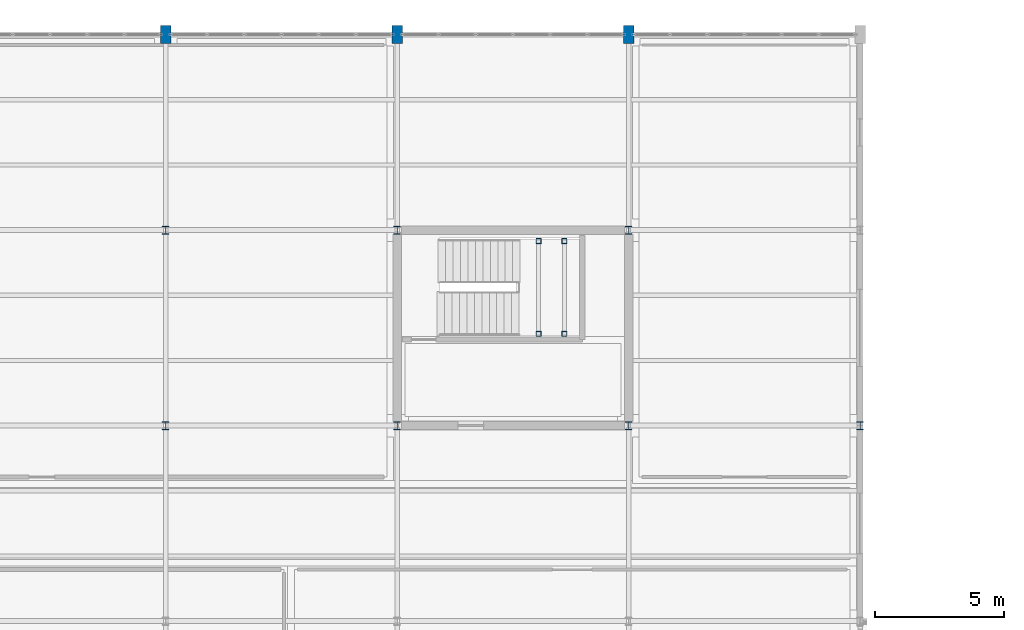
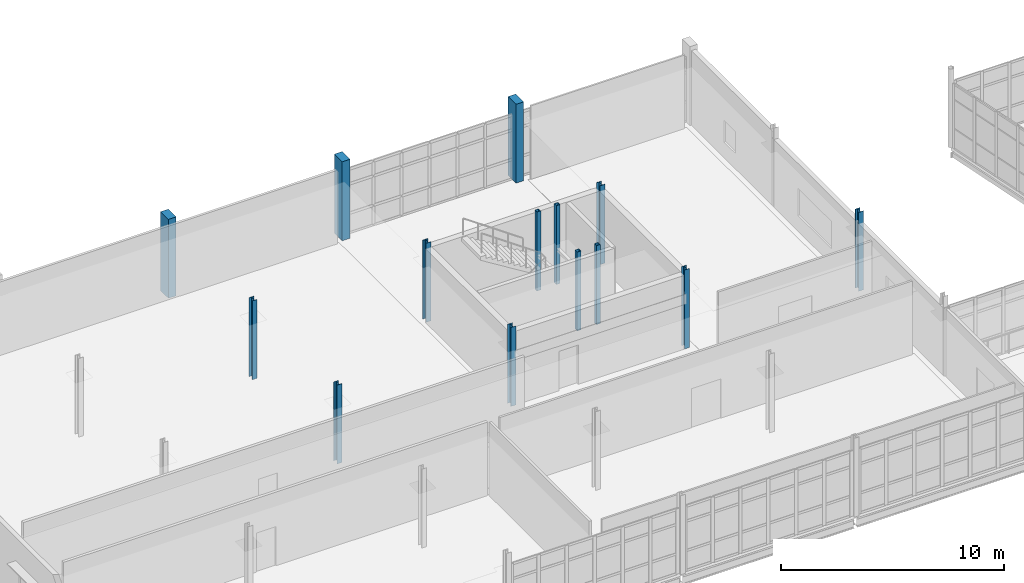
# One storey, part 20 of 174: 14 columns.
"""IFC4 building model written with IfcOpenShell, lengths in metres."""

from ifc_helpers import new_model, si_unit, direction, frame, origin, origin_2d, place, context, subcontext, project, spatial, rectangle, hollow_rectangle, i_section, extrude, material, material_profile, profile_set, type_object, element, save


model = new_model("IFC4")

# Units and contexts
model_context = context("Model", 3, precision=1e-05, world=origin(), true_north=direction((0.0, 1.0)))
body_context = subcontext(model_context, "Body", "Model", "MODEL_VIEW")
ifc_project = project(units=[si_unit("LENGTHUNIT", "METRE"), si_unit("AREAUNIT", "SQUARE_METRE"), si_unit("VOLUMEUNIT", "CUBIC_METRE"), si_unit("PLANEANGLEUNIT", "RADIAN"), si_unit("MASSUNIT", "GRAM", prefix="KILO")], contexts=[model_context])

# Site, building, storey
site_placement = place(None, origin())
site = spatial("IfcSite", under=ifc_project, at=site_placement, CompositionType="ELEMENT")
building_placement = place(site_placement, origin())
building = spatial("IfcBuilding", under=site, at=building_placement, Name="Caisbarro Railhouse Central Library", CompositionType="ELEMENT")
storey_placement = place(building_placement, frame((0.0, 0.0, 5.0400390625)))
storey = spatial("IfcBuildingStorey", under=building, at=storey_placement, Name="L01", CompositionType="ELEMENT", Elevation=5.0400390625)

# Columns
ifc_material_1 = material(Name="Steel ASTM A572 Grade 50", Category="steel")
ifc_material_profile_1 = material_profile(ifc_material_1, i_section(OverallWidth=0.25390625, OverallDepth=0.305908203125, WebThickness=0.0087890625, FlangeThickness=0.0146484375, FilletRadius=0.014892578125, at=origin_2d()), Name="W310X79.0")
ifc_profile_set_1 = profile_set([ifc_material_profile_1], Name="Steel ASTM A572 Grade 50")
column_type_1 = type_object("IfcColumnType", Name="COL-C07", PredefinedType="COLUMN", material=ifc_profile_set_1)
for number, where, z_axis, x_axis, name in (
    (1, (72.0, 98.800048828125, 0.0), (0.0, 0.0, 1.0), (1.0, 0.0, 0.0), "C07 column L01 (72.0,98.8)"),
    (2, (72.0, 106.39990234375, 0.0), (0.0, 0.0, 1.0), (1.0, 0.0, 0.0), "C07 column L01 (72.0,106.4)"),
    (3, (81.0, 98.800048828125, 0.0), (0.0, 0.0, 1.0), (1.0, 0.0, 0.0), "C07 column L01 (81.0,98.8)"),
    (4, (81.0, 106.39990234375, 0.0), (0.0, 0.0, 1.0), (1.0, 0.0, 0.0), "C07 column L01 (81.0,106.4)"),
    (5, (90.0, 98.800048828125, 0.0), (0.0, 0.0, 1.0), (1.0, 0.0, 0.0), "C07 column L01 (90.0,98.8)"),
    (6, (90.0, 106.39990234375, 0.0), (0.0, 0.0, 1.0), (1.0, 0.0, 0.0), "C07 column L01 (90.0,106.4)"),
    (7, (99.0, 98.800048828125, 0.0), (0.0, 0.0, 1.0), (1.0, 0.0, 0.0), "C07 column L01 (99.0,98.8)"),
):
    element("IfcColumn", number, at=place(storey_placement, frame(where, z_axis=z_axis, x_axis=x_axis)), inside=storey, type_object=column_type_1, Name=name, PredefinedType="COLUMN", context=body_context, shape_type="SweptSolid", body=[
        extrude(i_section(OverallWidth=0.25390625, OverallDepth=0.305908203125, WebThickness=0.0087890625, FlangeThickness=0.0146484375, FilletRadius=0.014892578125, at=origin_2d()), origin(), (0.0, 0.0, 1.0), 4.320068359375),
    ])
ifc_material_profile_2 = material_profile(ifc_material_1, hollow_rectangle(XDim=0.199951171875, YDim=0.199951171875, WallThickness=0.012451171875, at=origin_2d()), Name="HSS200X200X12.5")
ifc_profile_set_2 = profile_set([ifc_material_profile_2], Name="Steel ASTM A572 Grade 50")
column_type_2 = type_object("IfcColumnType", Name="COL-C10", PredefinedType="COLUMN", material=ifc_profile_set_2)
for number, where, z_axis, x_axis, name in (
    (8, (86.5, 102.3701171875, 0.0), (0.0, 0.0, 1.0), (1.0, 0.0, 0.0), "C10 Stair Landing Post K5 L01.1"),
    (9, (86.5, 105.97998046875, 0.0), (0.0, 0.0, 1.0), (1.0, 0.0, 0.0), "C10 Stair Landing Post K5 L01.2"),
    (10, (87.5, 102.3701171875, 0.0), (0.0, 0.0, 1.0), (1.0, 0.0, 0.0), "C10 Stair Landing Post K5 L01.3"),
    (11, (87.5, 105.97998046875, 0.0), (0.0, 0.0, 1.0), (1.0, 0.0, 0.0), "C10 Stair Landing Post K5 L01.4"),
):
    element("IfcColumn", number, at=place(storey_placement, frame(where, z_axis=z_axis, x_axis=x_axis)), inside=storey, type_object=column_type_2, Name=name, PredefinedType="COLUMN", context=body_context, shape_type="SweptSolid", body=[
        extrude(hollow_rectangle(XDim=0.199951171875, YDim=0.199951171875, WallThickness=0.012451171875, at=origin_2d()), origin(), (0.0, 0.0, 1.0), 4.320068359375),
    ])
ifc_material_2 = material(Name="Concrete C40", Category="concrete")
ifc_material_profile_3 = material_profile(ifc_material_2, rectangle(XDim=0.39990234375, YDim=0.699951171875, at=origin_2d()), Name="RC-PIL-400X700")
ifc_profile_set_3 = profile_set([ifc_material_profile_3], Name="Concrete C40")
column_type_3 = type_object("IfcColumnType", Name="PIL-P02", PredefinedType="PILASTER", material=ifc_profile_set_3)
for number, where, z_axis, x_axis, name in (
    (12, (72.0, 114.0, 0.0), (0.0, 0.0, 1.0), (1.0, 0.0, 0.0), "PL02 column L01 (72.0,114.0)"),
    (13, (81.0, 114.0, 0.0), (0.0, 0.0, 1.0), (1.0, 0.0, 0.0), "PL02 column L01 (81.0,114.0)"),
    (14, (90.0, 114.0, 0.0), (0.0, 0.0, 1.0), (1.0, 0.0, 0.0), "PL02 column L01 (90.0,114.0)"),
):
    element("IfcColumn", number, at=place(storey_placement, frame(where, z_axis=z_axis, x_axis=x_axis)), inside=storey, type_object=column_type_3, Name=name, PredefinedType="PILASTER", context=body_context, shape_type="SweptSolid", body=[
        extrude(rectangle(XDim=0.39990234375, YDim=0.699951171875, at=origin_2d()), origin(), (0.0, 0.0, 1.0), 4.320068359375),
    ])

save(model, "model.ifc")
